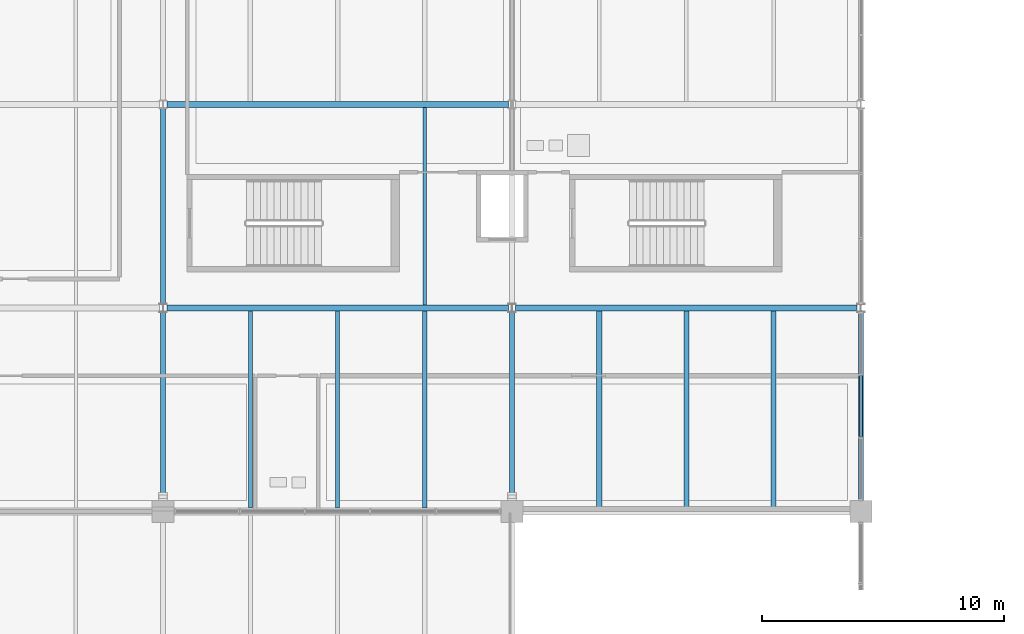
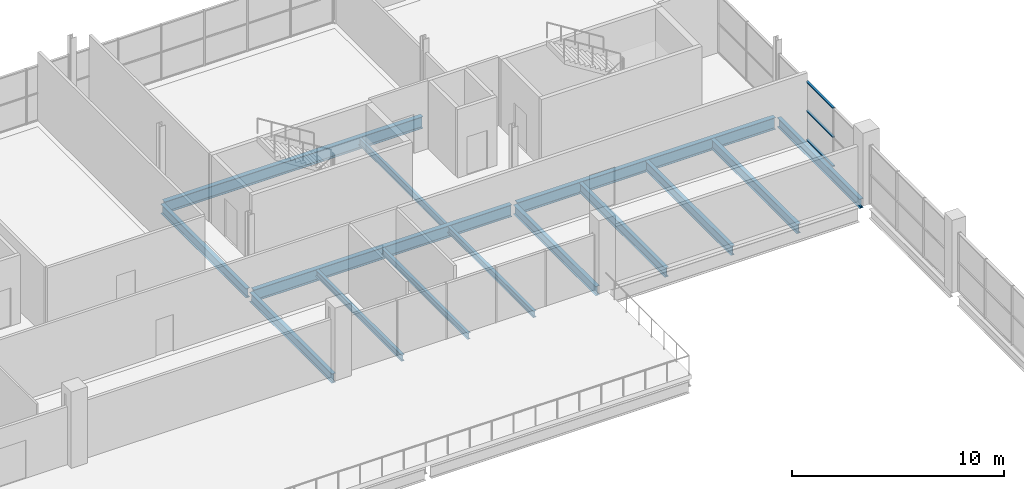
# One storey, part 57 of 93: 14 beams, 3 members, 1 element without a shape of its own.
"""IFC4 building model written with IfcOpenShell, lengths in metres."""

from ifc_helpers import new_model, si_unit, direction, frame, origin, origin_2d, place, context, subcontext, project, spatial, hollow_rectangle, i_section, extrude, material, material_profile, profile_set, type_object, element, aggregate, save


model = new_model("IFC4")

# Units and contexts
model_context = context("Model", 3, precision=1e-05, world=origin(), true_north=direction((0.0, 1.0)))
body_context = subcontext(model_context, "Body", "Model", "MODEL_VIEW")
ifc_project = project(units=[si_unit("LENGTHUNIT", "METRE"), si_unit("AREAUNIT", "SQUARE_METRE"), si_unit("VOLUMEUNIT", "CUBIC_METRE"), si_unit("PLANEANGLEUNIT", "RADIAN"), si_unit("MASSUNIT", "GRAM", prefix="KILO"), si_unit("THERMODYNAMICTEMPERATUREUNIT", "KELVIN")], contexts=[model_context])

# Site, building, storey
site_placement = place(None, origin())
site = spatial("IfcSite", under=ifc_project, at=site_placement, CompositionType="ELEMENT")
building_placement = place(site_placement, origin())
building = spatial("IfcBuilding", under=site, at=building_placement, Name="Nduvali Passage Aquatics Centre", CompositionType="ELEMENT")
storey_placement = place(building_placement, frame((0.0, 0.0, 9.0)))
storey = spatial("IfcBuildingStorey", under=building, at=storey_placement, Name="L02", CompositionType="ELEMENT", Elevation=9.0)

# Curtain wall, members
ifc_material_1 = material(Name="Aluminium EN AW-6063 T6", Category="aluminium")
curtain_wall_type = type_object("IfcCurtainWallType", Name="ENV-CW-PASS", PredefinedType="NOTDEFINED", material=ifc_material_1)
curtain_wall_placement = place(storey_placement, origin())
curtain_wall = element("IfcCurtainWall", 1, at=curtain_wall_placement, inside=storey, type_object=curtain_wall_type, Name="L02 East Passage Studio CW 118", PredefinedType="NOTDEFINED")
ifc_material_profile_1 = material_profile(ifc_material_1, hollow_rectangle(XDim=0.1201171875, YDim=0.06005859375, WallThickness=0.00390625, at=origin_2d()), Name="ALU TRANSOM 120x60x4")
ifc_profile_set_1 = profile_set([ifc_material_profile_1], Name="Aluminium EN AW-6063 T6")
member_type = type_object("IfcMemberType", Name="ENV-MEM-TRN60", PredefinedType="USERDEFINED", material=ifc_profile_set_1)
member_1_placement = place(storey_placement, frame((126.0, 95.4716796875, 0.030029296875), z_axis=(0.0, 1.0, 0.0), x_axis=(-1.0, 0.0, 0.0)))
member_1 = element("IfcMember", 2, at=member_1_placement, type_object=member_type, Name="East Passage Studio CW Transom B2-R0", ObjectType="TRANSOM", PredefinedType="USERDEFINED", context=body_context, shape_type="SweptSolid", body=[
    extrude(hollow_rectangle(XDim=0.1201171875, YDim=0.06005859375, WallThickness=0.00390625, at=origin_2d()), origin(), (0.0, 0.0, 1.0), 2.53173828125),
])
member_2_placement = place(storey_placement, frame((126.0, 95.4716796875, 1.703125), z_axis=(0.0, 1.0, 0.0), x_axis=(-1.0, 0.0, 0.0)))
member_2 = element("IfcMember", 3, at=member_2_placement, type_object=member_type, Name="East Passage Studio CW Transom B2-R1", ObjectType="TRANSOM", PredefinedType="USERDEFINED", context=body_context, shape_type="SweptSolid", body=[
    extrude(hollow_rectangle(XDim=0.1201171875, YDim=0.06005859375, WallThickness=0.00390625, at=origin_2d()), origin(), (0.0, 0.0, 1.0), 2.53173828125),
])
member_3_placement = place(storey_placement, frame((126.0, 95.4716796875, 3.37646484375), z_axis=(0.0, 1.0, 0.0), x_axis=(-1.0, 0.0, 0.0)))
member_3 = element("IfcMember", 4, at=member_3_placement, type_object=member_type, Name="East Passage Studio CW Transom B2-R2", ObjectType="TRANSOM", PredefinedType="USERDEFINED", context=body_context, shape_type="SweptSolid", body=[
    extrude(hollow_rectangle(XDim=0.1201171875, YDim=0.06005859375, WallThickness=0.00390625, at=origin_2d()), origin(), (0.0, 0.0, 1.0), 2.53173828125),
])
aggregate(curtain_wall, [member_1, member_2, member_3])

# Beams
ifc_material_2 = material(Name="Steel S355", Category="steel")
ifc_material_profile_2 = material_profile(ifc_material_2, i_section(OverallWidth=0.210693359375, OverallDepth=0.53955078125, WebThickness=0.01171875, FlangeThickness=0.018798828125, FilletRadius=0.0126953125, at=origin_2d()), Name="UKB 533x210x109")
ifc_profile_set_2 = profile_set([ifc_material_profile_2], Name="Steel S355")
beam_type_1 = type_object("IfcBeamType", Name="STR-BM-UKB533", PredefinedType="BEAM", material=ifc_profile_set_2)
beam_1_placement = place(storey_placement, frame((97.199951171875, 92.85009765625, -0.53369140625), z_axis=(0.0, 1.0, 0.0), x_axis=(-1.0, 0.0, 0.0)))
element("IfcBeam", 5, at=beam_1_placement, inside=storey, type_object=beam_type_1, Name="L02 Primary Y-Girder B6-0997", PredefinedType="BEAM", context=body_context, shape_type="SweptSolid", body=[
    extrude(i_section(OverallWidth=0.210693359375, OverallDepth=0.53955078125, WebThickness=0.01171875, FlangeThickness=0.018798828125, FilletRadius=0.0126953125, at=origin_2d()), origin(), (0.0, 0.0, 1.0), 7.78955078125),
])
beam_2_placement = place(storey_placement, frame((97.199951171875, 100.960205078125, -0.53369140625), z_axis=(0.0, 1.0, 0.0), x_axis=(-1.0, 0.0, 0.0)))
element("IfcBeam", 6, at=beam_2_placement, inside=storey, type_object=beam_type_1, Name="L02 Primary Y-Girder B6-0998", PredefinedType="BEAM", context=body_context, shape_type="SweptSolid", body=[
    extrude(i_section(OverallWidth=0.210693359375, OverallDepth=0.53955078125, WebThickness=0.01171875, FlangeThickness=0.018798828125, FilletRadius=0.0126953125, at=origin_2d()), origin(), (0.0, 0.0, 1.0), 8.07958984375),
])
beam_3_placement = place(storey_placement, frame((111.60009765625, 92.85009765625, -0.53369140625), z_axis=(0.0, 1.0, 0.0), x_axis=(-1.0, 0.0, 0.0)))
element("IfcBeam", 7, at=beam_3_placement, inside=storey, type_object=beam_type_1, Name="L02 Primary Y-Girder B6-1004", PredefinedType="BEAM", context=body_context, shape_type="SweptSolid", body=[
    extrude(i_section(OverallWidth=0.210693359375, OverallDepth=0.53955078125, WebThickness=0.01171875, FlangeThickness=0.018798828125, FilletRadius=0.0126953125, at=origin_2d()), origin(), (0.0, 0.0, 1.0), 7.78955078125),
])
ifc_material_profile_3 = material_profile(ifc_material_2, i_section(OverallWidth=0.210693359375, OverallDepth=0.53955078125, WebThickness=0.01171875, FlangeThickness=0.018798828125, FilletRadius=0.0126953125, at=origin_2d()), Name="UKB 533x210x109")
ifc_profile_set_3 = profile_set([ifc_material_profile_3], Name="Steel S355")
beam_type_2 = type_object("IfcBeamType", Name="STR-BM-UKB533-EXT", PredefinedType="BEAM", material=ifc_profile_set_3)
beam_4_placement = place(storey_placement, frame((126.0, 92.85009765625, -0.53369140625), z_axis=(0.0, 1.0, 0.0), x_axis=(-1.0, 0.0, 0.0)))
element("IfcBeam", 8, at=beam_4_placement, inside=storey, type_object=beam_type_2, Name="L02 Primary Y-Girder B6E-1018", PredefinedType="BEAM", context=body_context, shape_type="SweptSolid", body=[
    extrude(i_section(OverallWidth=0.210693359375, OverallDepth=0.53955078125, WebThickness=0.01171875, FlangeThickness=0.018798828125, FilletRadius=0.0126953125, at=origin_2d()), origin(), (0.0, 0.0, 1.0), 7.78955078125),
])
ifc_material_profile_4 = material_profile(ifc_material_2, i_section(OverallWidth=0.253662109375, OverallDepth=0.68359375, WebThickness=0.012451171875, FlangeThickness=0.01904296875, FilletRadius=0.01513671875, at=origin_2d()), Name="UKB 686x254x140")
ifc_profile_set_4 = profile_set([ifc_material_profile_4], Name="Steel S355")
beam_type_3 = type_object("IfcBeamType", Name="STR-BM-UKB686", PredefinedType="BEAM", material=ifc_profile_set_4)
for number, where, z_axis, x_axis, name in (
    (9, (97.3544921875, 100.800048828125, -0.605712890625), (1.0, 0.0, 0.0), (0.0, 1.0, 0.0), "L02 Primary X-Girder B4-0936"),
    (10, (111.754638671875, 100.800048828125, -0.605712890625), (1.0, 0.0, 0.0), (0.0, 1.0, 0.0), "L02 Primary X-Girder B4-0937"),
    (11, (97.3544921875, 109.199951171875, -0.605712890625), (1.0, 0.0, 0.0), (0.0, 1.0, 0.0), "L02 Primary X-Girder B4-0942"),
):
    element("IfcBeam", number, at=place(storey_placement, frame(where, z_axis=z_axis, x_axis=x_axis)), inside=storey, type_object=beam_type_3, Name=name, PredefinedType="BEAM", context=body_context, shape_type="SweptSolid", body=[
        extrude(i_section(OverallWidth=0.253662109375, OverallDepth=0.68359375, WebThickness=0.012451171875, FlangeThickness=0.01904296875, FilletRadius=0.01513671875, at=origin_2d()), origin(), (0.0, 0.0, 1.0), 14.0908203125),
    ])
ifc_material_profile_5 = material_profile(ifc_material_2, i_section(OverallWidth=0.169921875, OverallDepth=0.360107421875, WebThickness=0.008056640625, FlangeThickness=0.0126953125, FilletRadius=0.01806640625, at=origin_2d()), Name="IPE 360")
ifc_profile_set_5 = profile_set([ifc_material_profile_5], Name="Steel S355")
beam_type_4 = type_object("IfcBeamType", Name="STR-JST-IPE360", PredefinedType="JOIST", material=ifc_profile_set_5)
for number, where, z_axis, x_axis, name in (
    (12, (100.800048828125, 92.546142578125, -0.444091796875), (0.0, 1.0, 0.0), (-1.0, 0.0, 0.0), "L02 Secondary Joist J6-1170"),
    (13, (104.39990234375, 92.546142578125, -0.444091796875), (0.0, 1.0, 0.0), (-1.0, 0.0, 0.0), "L02 Secondary Joist J6-1171"),
    (14, (108.0, 92.546142578125, -0.444091796875), (0.0, 1.0, 0.0), (-1.0, 0.0, 0.0), "L02 Secondary Joist J6-1172"),
):
    element("IfcBeam", number, at=place(storey_placement, frame(where, z_axis=z_axis, x_axis=x_axis)), inside=storey, type_object=beam_type_4, Name=name, PredefinedType="JOIST", context=body_context, shape_type="SweptSolid", body=[
        extrude(i_section(OverallWidth=0.169921875, OverallDepth=0.360107421875, WebThickness=0.008056640625, FlangeThickness=0.0126953125, FilletRadius=0.01806640625, at=origin_2d()), origin(), (0.0, 0.0, 1.0), 8.126953125),
    ])
ifc_material_profile_6 = material_profile(ifc_material_2, i_section(OverallWidth=0.2099609375, OverallDepth=0.550048828125, WebThickness=0.010986328125, FlangeThickness=0.01708984375, FilletRadius=0.02392578125, at=origin_2d()), Name="IPE 550")
ifc_profile_set_6 = profile_set([ifc_material_profile_6], Name="Steel S355")
beam_type_5 = type_object("IfcBeamType", Name="STR-JST-IPE550", PredefinedType="JOIST", material=ifc_profile_set_6)
for number, where, z_axis, x_axis, name in (
    (15, (115.199951171875, 92.546142578125, -0.5390625), (0.0, 1.0, 0.0), (-1.0, 0.0, 0.0), "L02 Secondary Joist J5C-1173"),
    (16, (118.800048828125, 92.546142578125, -0.5390625), (0.0, 1.0, 0.0), (-1.0, 0.0, 0.0), "L02 Secondary Joist J5C-1174"),
    (17, (122.39990234375, 92.546142578125, -0.5390625), (0.0, 1.0, 0.0), (-1.0, 0.0, 0.0), "L02 Secondary Joist J5C-1175"),
):
    element("IfcBeam", number, at=place(storey_placement, frame(where, z_axis=z_axis, x_axis=x_axis)), inside=storey, type_object=beam_type_5, Name=name, PredefinedType="JOIST", context=body_context, shape_type="SweptSolid", body=[
        extrude(i_section(OverallWidth=0.2099609375, OverallDepth=0.550048828125, WebThickness=0.010986328125, FlangeThickness=0.01708984375, FilletRadius=0.02392578125, at=origin_2d()), origin(), (0.0, 0.0, 1.0), 8.126953125),
    ])
ifc_material_profile_7 = material_profile(ifc_material_2, i_section(OverallWidth=0.14208984375, OverallDepth=0.4033203125, WebThickness=0.0068359375, FlangeThickness=0.01123046875, FilletRadius=0.01025390625, at=origin_2d()), Name="UKB 406x140x46")
ifc_profile_set_7 = profile_set([ifc_material_profile_7], Name="Steel S355")
beam_type_6 = type_object("IfcBeamType", Name="STR-JST-UKB406L", PredefinedType="JOIST", material=ifc_profile_set_7)
beam_5_placement = place(storey_placement, frame((108.0, 100.9267578125, -0.465576171875), z_axis=(0.0, 1.0, 0.0), x_axis=(-1.0, 0.0, 0.0)))
element("IfcBeam", 18, at=beam_5_placement, inside=storey, type_object=beam_type_6, Name="L02 Secondary Joist J1B-1182", PredefinedType="JOIST", context=body_context, shape_type="SweptSolid", body=[
    extrude(i_section(OverallWidth=0.14208984375, OverallDepth=0.4033203125, WebThickness=0.0068359375, FlangeThickness=0.01123046875, FilletRadius=0.01025390625, at=origin_2d()), origin(), (0.0, 0.0, 1.0), 8.146484375),
])

save(model, "model.ifc")
